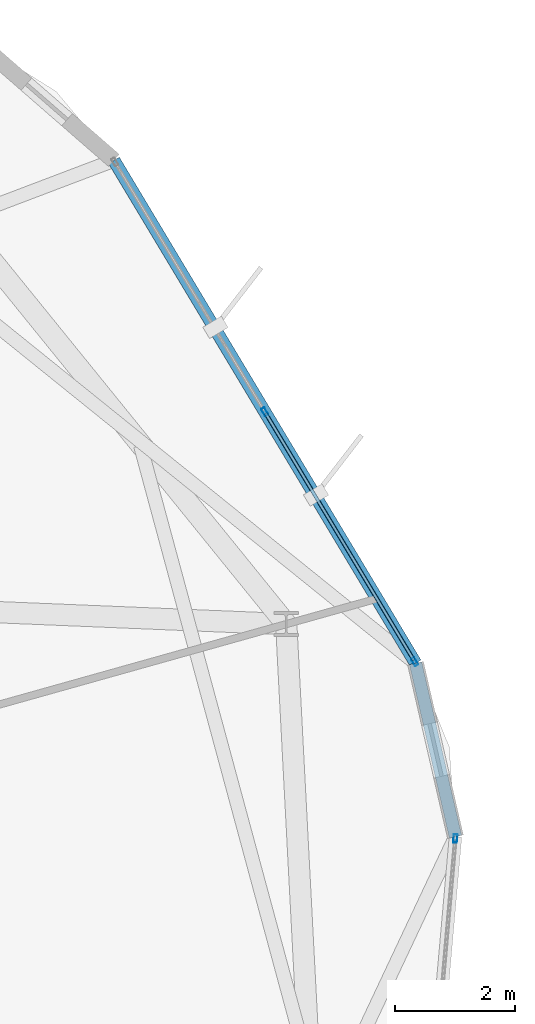
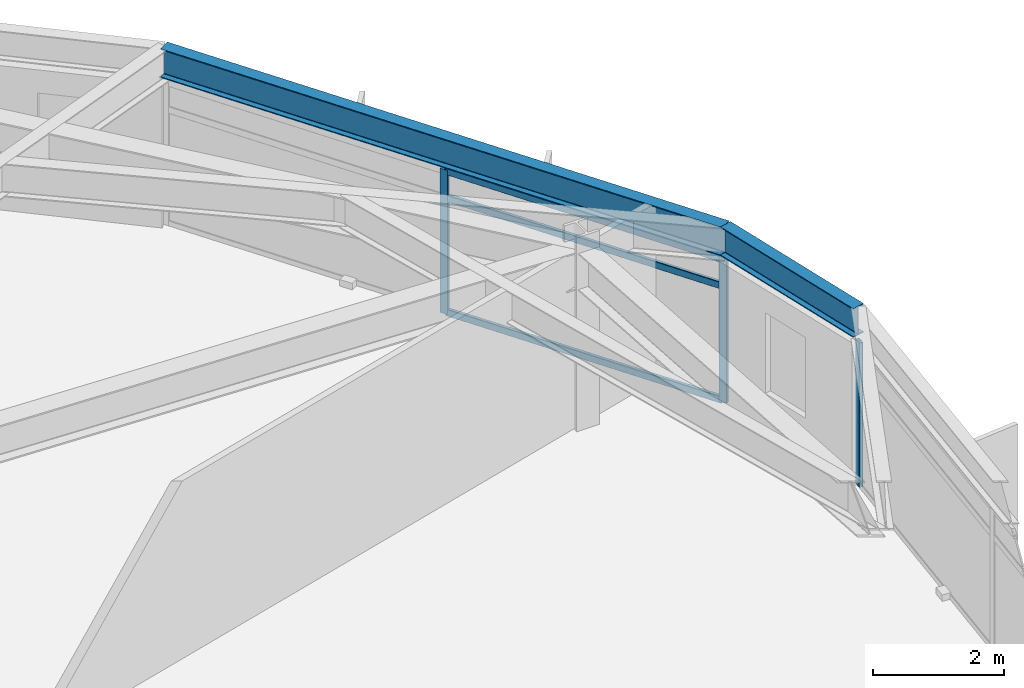
# One storey, part 13 of 27: 6 members, 2 beams, 2 elements without a shape of their own.
"""IFC4 building model written with IfcOpenShell, lengths in metres."""

import ifcopenshell
import ifcopenshell.guid

model = None  # the IFC model being written
_history = None  # IfcOwnerHistory: only IFC2X3 demands one
_inside = {}  # id of a spatial element -> (the spatial element, [elements in it])
_under = {}  # id of a project, library or spatial element -> (it, [spatial elements below it])
_declared = {}  # id of a project -> (the project, [libraries it declares])
_typed = {}  # id of a type object -> (the type object, [elements of that type])
_made_of = {}  # id of a material, layer set ... -> (it, [elements and type objects made of it])


def new_model(schema):
    """Start an empty IFC model of exactly this schema.

    Asked for "IFC4X3", IfcOpenShell would pick the latest addendum, in which some entities
    have other attributes; the version numbers below select the first issue.
    IFC2X3 requires an IfcOwnerHistory on every rooted entity: one is made here for all.
    """
    global model, _history
    if schema == "IFC4X3":
        model = ifcopenshell.file(schema_version=(4, 3, 0, 0))
    else:
        model = ifcopenshell.file(schema=schema)
    _inside.clear()
    _under.clear()
    _declared.clear()
    _typed.clear()
    _made_of.clear()
    _history = None
    if model.schema == "IFC2X3":
        org = make("IfcOrganization", Name="unknown")
        user = make(
            "IfcPersonAndOrganization",
            ThePerson=make("IfcPerson", FamilyName="unknown"),
            TheOrganization=org,
        )
        app = make(
            "IfcApplication",
            ApplicationDeveloper=org,
            Version="unknown",
            ApplicationFullName="unknown",
            ApplicationIdentifier="unknown",
        )
        _history = make(
            "IfcOwnerHistory",
            OwningUser=user,
            OwningApplication=app,
            ChangeAction="ADDED",
            CreationDate=0,
        )
    return model


def make(cls, **values):
    """One entity of the class cls with the attributes given. An attribute that is None is left unset."""
    return model.create_entity(
        cls, **{name: value for name, value in values.items() if value is not None}
    )


def rooted(cls, **values):
    """An entity with a GlobalId (a new one), such as an element, a storey or a relation."""
    return make(cls, GlobalId=ifcopenshell.guid.new(), OwnerHistory=_history, **values)


def si_unit(unit_type, name, prefix=None):
    """IfcSIUnit, for example si_unit("LENGTHUNIT", "METRE", prefix="MILLI")."""
    return make("IfcSIUnit", UnitType=unit_type, Prefix=prefix, Name=name)


def assignment(units):
    """IfcUnitAssignment: the units of a project."""
    return None if units is None else make("IfcUnitAssignment", Units=units)


def point(xyz):
    """IfcCartesianPoint."""
    return None if xyz is None else make("IfcCartesianPoint", Coordinates=xyz)


def direction(xyz):
    """IfcDirection."""
    return None if xyz is None else make("IfcDirection", DirectionRatios=xyz)


def frame(location, z_axis=None, x_axis=None):
    """IfcAxis2Placement3D, a coordinate frame: its origin and axes. An axis left out is left unset."""
    return make(
        "IfcAxis2Placement3D",
        Location=point(location),
        Axis=direction(z_axis),
        RefDirection=direction(x_axis),
    )


def frame_2d(location, x_axis=None):
    """IfcAxis2Placement2D, a coordinate frame in the plane: its origin and x axis."""
    return make(
        "IfcAxis2Placement2D", Location=point(location), RefDirection=direction(x_axis)
    )


def origin():
    """The frame at (0, 0, 0) with its axes left unset."""
    return frame((0.0, 0.0, 0.0))


def origin_2d():
    """The frame at (0, 0) in the plane with its x axis left unset."""
    return frame_2d((0.0, 0.0))


def place(relative_to, where):
    """IfcLocalPlacement: puts the frame where relative to a parent placement (None: the world)."""
    return make(
        "IfcLocalPlacement", PlacementRelTo=relative_to, RelativePlacement=where
    )


def context(
    kind, dimensions, precision=None, world=None, true_north=None, identifier=None
):
    """IfcGeometricRepresentationContext, for example the 3D "Model" context."""
    return make(
        "IfcGeometricRepresentationContext",
        ContextIdentifier=identifier,
        ContextType=kind,
        CoordinateSpaceDimension=dimensions,
        Precision=precision,
        WorldCoordinateSystem=world,
        TrueNorth=true_north,
    )


def subcontext(parent, identifier, kind, view, scale=None):
    """IfcGeometricRepresentationSubContext, for example "Body" below "Model"."""
    return make(
        "IfcGeometricRepresentationSubContext",
        ContextIdentifier=identifier,
        ContextType=kind,
        ParentContext=parent,
        TargetScale=scale,
        TargetView=view,
    )


def project(units=None, contexts=None):
    """IfcProject with its units and contexts."""
    return rooted(
        "IfcProject",
        Name="project",
        RepresentationContexts=contexts,
        UnitsInContext=assignment(units),
    )


def spatial(cls, under=None, at=None, **own):
    """A site, building, storey or space (cls), placed at a placement, below another one or the project."""
    s = rooted(cls, ObjectPlacement=at, **own)
    if under is not None:
        _under.setdefault(under.id(), (under, []))[1].append(s)
    return s


def profile(cls, at=None, kind="AREA", **sizes):
    """A parametric profile (cls). Its sizes go by their IFC names, for example OverallWidth=200.0."""
    return make(cls, ProfileType=kind, Position=at, **sizes)


def hollow_rectangle(**sizes):
    """IfcRectangleHollowProfileDef."""
    return profile("IfcRectangleHollowProfileDef", **sizes)


def i_section(**sizes):
    """IfcIShapeProfileDef."""
    return profile("IfcIShapeProfileDef", **sizes)


def extrude(swept, where, along, depth):
    """IfcExtrudedAreaSolid: the profile swept, set in the frame where, extruded along a direction by depth."""
    return make(
        "IfcExtrudedAreaSolid",
        SweptArea=swept,
        Position=where,
        ExtrudedDirection=direction(along),
        Depth=depth,
    )


def shape(context_of_items, identifier, shape_type, items):
    """IfcShapeRepresentation: the items that make up one representation, for example the "Body"."""
    return make(
        "IfcShapeRepresentation",
        ContextOfItems=context_of_items,
        RepresentationIdentifier=identifier,
        RepresentationType=shape_type,
        Items=items,
    )


def material(Name=None, Category=None):
    """IfcMaterial."""
    return make("IfcMaterial", Name=Name, Category=Category)


def layer(
    of_material, thickness, ventilated=None, Name=None, Category=None, Priority=None
):
    """IfcMaterialLayer: one layer of a wall or slab, of a material (None: an air gap)."""
    return make(
        "IfcMaterialLayer",
        Material=of_material,
        LayerThickness=thickness,
        IsVentilated=ventilated,
        Name=Name,
        Category=Category,
        Priority=Priority,
    )


def layer_set(layers, Name=None):
    """IfcMaterialLayerSet."""
    return make("IfcMaterialLayerSet", MaterialLayers=layers, LayerSetName=Name)


def material_profile(
    of_material, cross_section, Name=None, Category=None, Priority=None
):
    """IfcMaterialProfile: a cross section and its material."""
    return make(
        "IfcMaterialProfile",
        Name=Name,
        Material=of_material,
        Profile=cross_section,
        Priority=Priority,
        Category=Category,
    )


def profile_set(profiles, Name=None, composite=None):
    """IfcMaterialProfileSet."""
    return make(
        "IfcMaterialProfileSet",
        Name=Name,
        MaterialProfiles=profiles,
        CompositeProfile=composite,
    )


def made_of(thing, what):
    """Note that an element or type object is made of a material, layer set ...; save() writes the relation."""
    if what is not None:
        _made_of.setdefault(what.id(), (what, []))[1].append(thing)
    return thing


def type_object(cls, material=None, **own):
    """A type object (cls), such as IfcWallType, which elements share."""
    return made_of(rooted(cls, **own), material)


def element(
    cls,
    number,
    at=None,
    inside=None,
    cuts=None,
    type_object=None,
    material=None,
    context=None,
    identifier="Body",
    shape_type=None,
    held_by="IfcProductDefinitionShape",
    body=None,
    shapes=None,
    **own,
):
    """One element of the class cls, such as IfcWall. Its Tag is "e" and its number.

    at: its placement. inside: the storey or other place that contains it. cuts: it is an
    opening in that element (IfcRelVoidsElement). A single representation is given by context,
    identifier, shape_type and body (its items); several are given by shapes. held_by: the class
    of the entity that holds the representations. save() writes the other relations.
    """
    e = rooted(cls, Tag="e%d" % number, ObjectPlacement=at, **own)
    if body is not None:
        shapes = [shape(context, identifier, shape_type, body)]
    if shapes is not None:
        e.Representation = make(held_by, Representations=shapes)
    if inside is not None:
        _inside.setdefault(inside.id(), (inside, []))[1].append(e)
    if cuts is not None:
        rooted(
            "IfcRelVoidsElement", RelatingBuildingElement=cuts, RelatedOpeningElement=e
        )
    if type_object is not None:
        _typed.setdefault(type_object.id(), (type_object, []))[1].append(e)
    return made_of(e, material)


def aggregate(whole, parts):
    """IfcRelAggregates: a whole, such as a stair, and the parts it consists of."""
    return rooted("IfcRelAggregates", RelatingObject=whole, RelatedObjects=parts)


def save(model, path):
    """Write the relations noted so far, then the file.

    IfcRelAggregates (storeys below a building ...), IfcRelContainedInSpatialStructure (elements
    in a storey), IfcRelDefinesByType, IfcRelAssociatesMaterial and IfcRelDeclares: one each for
    every whole, place, type object, material and project.
    """
    for whole, parts in _under.values():
        aggregate(whole, parts)
    for where, things in _inside.values():
        rooted(
            "IfcRelContainedInSpatialStructure",
            RelatedElements=things,
            RelatingStructure=where,
        )
    for kind, things in _typed.values():
        rooted("IfcRelDefinesByType", RelatedObjects=things, RelatingType=kind)
    for what, things in _made_of.values():
        rooted("IfcRelAssociatesMaterial", RelatedObjects=things, RelatingMaterial=what)
    for by, libraries in _declared.values():
        rooted("IfcRelDeclares", RelatingContext=by, RelatedDefinitions=libraries)
    model.write(path)


model = new_model("IFC4")

# Units and contexts
model_context = context("Model", 3, precision=1e-05, world=origin(), true_north=direction((0.0, 1.0)))
body_context = subcontext(model_context, "Body", "Model", "MODEL_VIEW")
ifc_project = project(units=[si_unit("LENGTHUNIT", "METRE"), si_unit("AREAUNIT", "SQUARE_METRE"), si_unit("VOLUMEUNIT", "CUBIC_METRE"), si_unit("PLANEANGLEUNIT", "RADIAN"), si_unit("MASSUNIT", "GRAM", prefix="KILO")], contexts=[model_context])

# Site, building, storey
site_placement = place(None, origin())
site = spatial("IfcSite", under=ifc_project, at=site_placement, CompositionType="ELEMENT")
building_placement = place(site_placement, origin())
building = spatial("IfcBuilding", under=site, at=building_placement, Name="Soratama Intermodal Tower", CompositionType="ELEMENT")
storey_placement = place(building_placement, frame((0.0, 0.0, 212.199951171875)))
storey = spatial("IfcBuildingStorey", under=building, at=storey_placement, Name="L53", CompositionType="ELEMENT", Elevation=212.199951171875)

# Beams
ifc_material_1 = material(Name="Structural steel ASTM A992 Grade 50", Category="steel")
ifc_material_profile_1 = material_profile(ifc_material_1, i_section(OverallWidth=0.2099609375, OverallDepth=0.537109375, WebThickness=0.010986328125, FlangeThickness=0.017333984375, FilletRadius=0.012939453125, at=origin_2d()), Name="W21X68")
ifc_profile_set_1 = profile_set([ifc_material_profile_1], Name="Structural steel ASTM A992 Grade 50")
beam_type = type_object("IfcBeamType", Name="BM-SPN-W21X68", PredefinedType="SPANDREL", material=ifc_profile_set_1)
beam_1_placement = place(storey_placement, frame((65.18505859375, 28.123046875, 3.031494140625), z_axis=(-0.224192248177, 0.974544937834, 0.0), x_axis=(-0.974544937834, -0.224192248177, 0.0)))
element("IfcBeam", 1, at=beam_1_placement, inside=storey, type_object=beam_type, Name="BS-L53-CRN09", PredefinedType="SPANDREL", context=body_context, shape_type="SweptSolid", body=[
    extrude(i_section(OverallWidth=0.2099609375, OverallDepth=0.537109375, WebThickness=0.010986328125, FlangeThickness=0.017333984375, FilletRadius=0.012939453125, at=origin_2d()), origin(), (0.0, 0.0, 1.0), 2.96630859375),
])
beam_2_placement = place(storey_placement, frame((64.52001953125, 31.013916015625, 3.031494140625), z_axis=(-0.514481055011, 0.857501745791, 0.0), x_axis=(-0.857501745791, -0.514481055011, 0.0)))
element("IfcBeam", 2, at=beam_2_placement, inside=storey, type_object=beam_type, Name="BS-L53-F10", PredefinedType="SPANDREL", context=body_context, shape_type="SweptSolid", body=[
    extrude(i_section(OverallWidth=0.2099609375, OverallDepth=0.537109375, WebThickness=0.010986328125, FlangeThickness=0.017333984375, FilletRadius=0.012939453125, at=origin_2d()), origin(), (0.0, 0.0, 1.0), 9.769287109375),
])

# Curtain wall, member
ifc_material_2 = material(Name="Double-glazed aluminium curtain wall", Category="aluminium")
ifc_layer = layer(ifc_material_2, 0.159912109375)
ifc_layer_set = layer_set([ifc_layer], Name="Double-glazed aluminium curtain wall")
curtain_wall_type = type_object("IfcCurtainWallType", Name="CW-SYS-5", PredefinedType="NOTDEFINED", material=ifc_layer_set)
curtain_wall_1_placement = place(storey_placement, origin())
curtain_wall_1 = element("IfcCurtainWall", 3, at=curtain_wall_1_placement, inside=storey, type_object=curtain_wall_type, Name="L53 Faceted Curtain Wall F09", PredefinedType="NOTDEFINED")
ifc_material_3 = material(Name="Anodised aluminium AA 6063-T6", Category="aluminium")
ifc_material_profile_2 = material_profile(ifc_material_3, hollow_rectangle(XDim=0.06494140625, YDim=0.139892578125, WallThickness=0.0048828125, InnerFilletRadius=0.0048828125, OuterFilletRadius=0.010009765625, at=origin_2d()), Name="CWM140X65X5")
ifc_profile_set_2 = profile_set([ifc_material_profile_2], Name="Anodised aluminium AA 6063-T6")
member_type_1 = type_object("IfcMemberType", Name="MT-CWM-5", PredefinedType="MULLION", material=ifc_profile_set_2)
member_1_placement = place(storey_placement, frame((65.1826171875, 28.09326171875, 0.0), z_axis=(0.0, 0.0, 1.0), x_axis=(-0.996133671333, 0.087850491382, 0.0)))
member_1 = element("IfcMember", 4, at=member_1_placement, type_object=member_type_1, Name="CW-5 mullion 3", PredefinedType="MULLION", context=body_context, shape_type="SweptSolid", body=[
    extrude(hollow_rectangle(XDim=0.06494140625, YDim=0.139892578125, WallThickness=0.0048828125, InnerFilletRadius=0.0048828125, OuterFilletRadius=0.010009765625, at=origin_2d()), origin(), (0.0, 0.0, 1.0), 2.678955078125),
])
aggregate(curtain_wall_1, [member_1])

# Curtain wall, members
curtain_wall_2_placement = place(storey_placement, origin())
curtain_wall_2 = element("IfcCurtainWall", 5, at=curtain_wall_2_placement, inside=storey, type_object=curtain_wall_type, Name="L53 Faceted Curtain Wall F10", PredefinedType="NOTDEFINED")
member_2_placement = place(storey_placement, frame((64.50439453125, 31.0400390625, 0.0), z_axis=(0.0, 0.0, 1.0), x_axis=(-0.857527246406, -0.514438549948, 0.0)))
member_2 = element("IfcMember", 6, at=member_2_placement, type_object=member_type_1, Name="CW-5 mullion 1", PredefinedType="MULLION", context=body_context, shape_type="SweptSolid", body=[
    extrude(hollow_rectangle(XDim=0.06494140625, YDim=0.139892578125, WallThickness=0.0048828125, InnerFilletRadius=0.0048828125, OuterFilletRadius=0.010009765625, at=origin_2d()), origin(), (0.0, 0.0, 1.0), 2.678955078125),
])
member_3_placement = place(storey_placement, frame((62.007080078125, 35.20263671875, 0.0), z_axis=(0.0, 0.0, 1.0), x_axis=(-0.857527246406, -0.514438549948, 0.0)))
member_3 = element("IfcMember", 7, at=member_3_placement, type_object=member_type_1, Name="CW-5 mullion 2", PredefinedType="MULLION", context=body_context, shape_type="SweptSolid", body=[
    extrude(hollow_rectangle(XDim=0.06494140625, YDim=0.139892578125, WallThickness=0.0048828125, InnerFilletRadius=0.0048828125, OuterFilletRadius=0.010009765625, at=origin_2d()), origin(), (0.0, 0.0, 1.0), 2.678955078125),
])
ifc_material_4 = material(Name="Anodised aluminium AA 6063-T6", Category="aluminium")
ifc_material_profile_3 = material_profile(ifc_material_4, hollow_rectangle(XDim=0.06005859375, YDim=0.1298828125, WallThickness=0.0048828125, InnerFilletRadius=0.0048828125, OuterFilletRadius=0.010009765625, at=origin_2d()), Name="CWT130X60X5")
ifc_profile_set_3 = profile_set([ifc_material_profile_3], Name="Anodised aluminium AA 6063-T6")
member_type_2 = type_object("IfcMemberType", Name="TT-CWT-2", PredefinedType="USERDEFINED", material=ifc_profile_set_3)
member_4_placement = place(storey_placement, frame((64.489013671875, 31.065673828125, 0.030029296875), z_axis=(-0.514420867178, 0.857537854215, 0.0), x_axis=(-0.857537854215, -0.514420867178, 0.0)))
member_4 = element("IfcMember", 8, at=member_4_placement, type_object=member_type_2, Name="CW-5 transom 1.1", ObjectType="TRANSOM", PredefinedType="USERDEFINED", context=body_context, shape_type="SweptSolid", body=[
    extrude(hollow_rectangle(XDim=0.06005859375, YDim=0.1298828125, WallThickness=0.0048828125, InnerFilletRadius=0.0048828125, OuterFilletRadius=0.010009765625, at=origin_2d()), origin(), (0.0, 0.0, 1.0), 4.79443359375),
])
member_5_placement = place(storey_placement, frame((64.489013671875, 31.065673828125, 2.150146484375), z_axis=(-0.514420867178, 0.857537854215, 0.0), x_axis=(-0.857537854215, -0.514420867178, 0.0)))
member_5 = element("IfcMember", 9, at=member_5_placement, type_object=member_type_2, Name="CW-5 transom 1.2", ObjectType="TRANSOM", PredefinedType="USERDEFINED", context=body_context, shape_type="SweptSolid", body=[
    extrude(hollow_rectangle(XDim=0.06005859375, YDim=0.1298828125, WallThickness=0.0048828125, InnerFilletRadius=0.0048828125, OuterFilletRadius=0.010009765625, at=origin_2d()), origin(), (0.0, 0.0, 1.0), 4.79443359375),
])
member_6_placement = place(storey_placement, frame((64.489013671875, 31.065673828125, 2.649169921875), z_axis=(-0.514420867178, 0.857537854215, 0.0), x_axis=(-0.857537854215, -0.514420867178, 0.0)))
member_6 = element("IfcMember", 10, at=member_6_placement, type_object=member_type_2, Name="CW-5 transom 1.3", ObjectType="TRANSOM", PredefinedType="USERDEFINED", context=body_context, shape_type="SweptSolid", body=[
    extrude(hollow_rectangle(XDim=0.06005859375, YDim=0.1298828125, WallThickness=0.0048828125, InnerFilletRadius=0.0048828125, OuterFilletRadius=0.010009765625, at=origin_2d()), origin(), (0.0, 0.0, 1.0), 4.79443359375),
])
aggregate(curtain_wall_2, [member_2, member_3, member_4, member_5, member_6])

save(model, "model.ifc")
